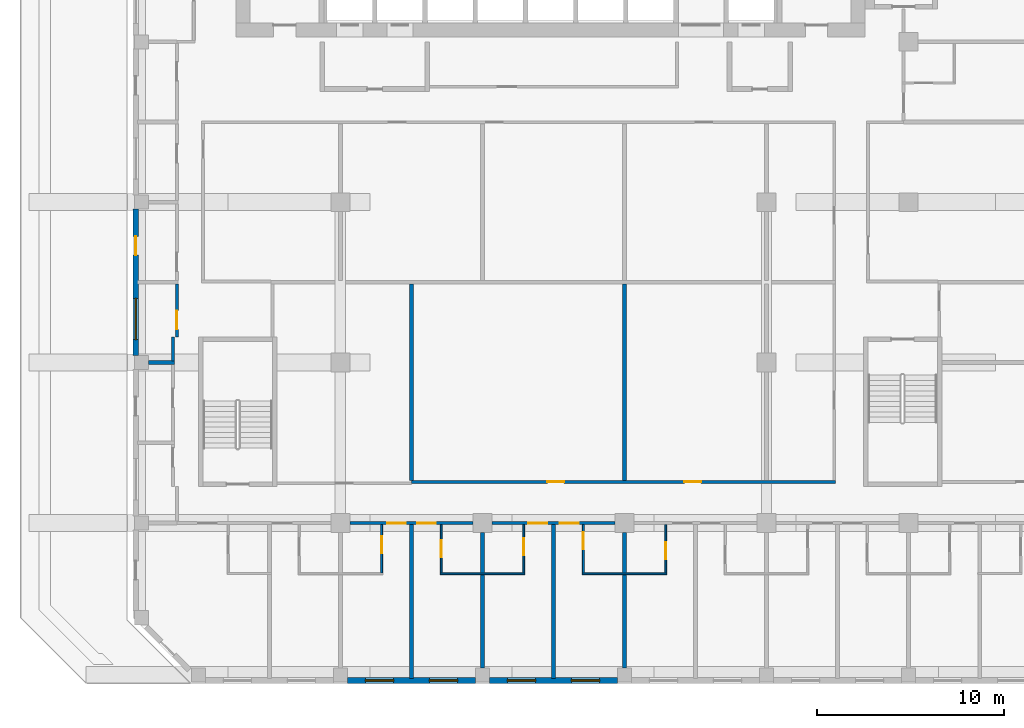
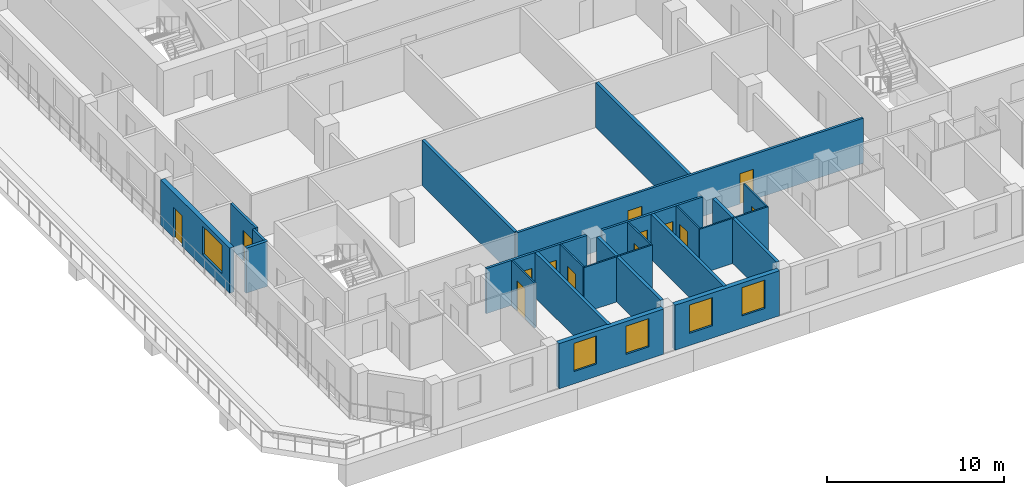
# One storey, part 3 of 16: 24 walls, 13 doors, 5 windows, 18 openings.
"""IFC4 building model written with IfcOpenShell, lengths in metres."""

from ifc_helpers import new_model, si_unit, direction, frame, frame_2d, origin, place, context, subcontext, project, spatial, rectangle, extrude, source, transform, mapped, material, layer, layer_set, type_object, element, fill, save


model = new_model("IFC4")

# Units and contexts
model_context = context("Model", 3, precision=1e-05, world=origin(), true_north=direction((0.0, 1.0)))
body_context = subcontext(model_context, "Body", "Model", "MODEL_VIEW")
ifc_project = project(units=[si_unit("LENGTHUNIT", "METRE"), si_unit("AREAUNIT", "SQUARE_METRE"), si_unit("VOLUMEUNIT", "CUBIC_METRE"), si_unit("PLANEANGLEUNIT", "RADIAN"), si_unit("MASSUNIT", "GRAM", prefix="KILO")], contexts=[model_context])

# Site, building, storey
site_placement = place(None, origin())
site = spatial("IfcSite", under=ifc_project, at=site_placement, CompositionType="ELEMENT")
building_placement = place(site_placement, origin())
building = spatial("IfcBuilding", under=site, at=building_placement, Name="Kilnfold Tower and Market Hall", CompositionType="ELEMENT")
storey_placement = place(building_placement, frame((0.0, 0.0, 199.89990234375)))
storey = spatial("IfcBuildingStorey", under=building, at=storey_placement, Name="L48", CompositionType="ELEMENT", Elevation=199.89990234375)

# Wall, openings, doors
ifc_material_1 = material(Name="Gypsum board on steel studs", Category="steel")
ifc_layer_1 = layer(ifc_material_1, 0.14990234375)
ifc_layer_set_1 = layer_set([ifc_layer_1], Name="Gypsum board on steel studs")
wall_type_1 = type_object("IfcWallType", Name="WALL CORRIDOR 150", PredefinedType="PARTITIONING", material=ifc_layer_set_1)
wall_1_placement = place(storey_placement, frame((-9.6669921875, -17.699951171875, 0.0), z_axis=(0.0, 0.0, 1.0), x_axis=(1.0, 0.0, 0.0)))
wall_1 = element("IfcWall", 1, at=wall_1_placement, inside=storey, type_object=wall_type_1, Name="Partition LY30.2", PredefinedType="PARTITIONING", context=body_context, shape_type="SweptSolid", body=[
    extrude(rectangle(XDim=6.583984375, YDim=0.14990234375, at=frame_2d((3.2919921875, 0.0))), origin(), (0.0, 0.0, 1.0), 3.1201171875),
])
opening_1_placement = place(wall_1_placement, frame((1.99609375, 0.0, 0.0)))
opening_1 = element("IfcOpeningElement", 2, at=opening_1_placement, cuts=wall_1, Name="Opening D1", PredefinedType="OPENING", context=body_context, shape_type="SweptSolid", body=[
    extrude(rectangle(XDim=1.0, YDim=2.10009765625, at=frame_2d((0.5, 1.050048828125))), frame((0.0, 0.0849609375, 0.0), z_axis=(0.0, -1.0, 0.0), x_axis=(1.0, 0.0, 0.0)), (0.0, 0.0, 1.0), 0.169921875),
])
opening_2_placement = place(wall_1_placement, frame((3.587890625, 0.0, 0.0)))
opening_2 = element("IfcOpeningElement", 3, at=opening_2_placement, cuts=wall_1, Name="Opening D1", PredefinedType="OPENING", context=body_context, shape_type="SweptSolid", body=[
    extrude(rectangle(XDim=1.0, YDim=2.10009765625, at=frame_2d((0.5, 1.050048828125))), frame((0.0, 0.0849609375, 0.0), z_axis=(0.0, -1.0, 0.0), x_axis=(1.0, 0.0, 0.0)), (0.0, 0.0, 1.0), 0.169921875),
])
ifc_material_2 = material(Name="Timber veneer door leaf in steel frame", Category="steel")
door_type_1 = type_object("IfcDoorType", Name="DOOR ENTRY 1000 X2100", OperationType="NOTDEFINED", PredefinedType="DOOR", material=ifc_material_2)
door_1_placement = place(opening_1_placement, origin())
door_1 = element("IfcDoor", 4, at=door_1_placement, inside=storey, type_object=door_type_1, Name="Door D1", OperationType="SINGLE_SWING_RIGHT", OverallHeight=2.10009765625, OverallWidth=1.0, PredefinedType="DOOR", context=body_context, shape_type="SweptSolid", body=[
    extrude(rectangle(XDim=1.0, YDim=2.10009765625, at=frame_2d((0.5, 1.050048828125))), frame((0.0, 0.02490234375, 0.0), z_axis=(0.0, -1.0, 0.0), x_axis=(1.0, 0.0, 0.0)), (0.0, 0.0, 1.0), 0.050048828125),
])
fill(opening_1, door_1)
door_2_placement = place(opening_2_placement, origin())
door_2 = element("IfcDoor", 5, at=door_2_placement, inside=storey, type_object=door_type_1, Name="Door D1", OperationType="SINGLE_SWING_RIGHT", OverallHeight=2.10009765625, OverallWidth=1.0, PredefinedType="DOOR", context=body_context, shape_type="SweptSolid", body=[
    extrude(rectangle(XDim=1.0, YDim=2.10009765625, at=frame_2d((0.5, 1.050048828125))), frame((0.0, 0.02490234375, 0.0), z_axis=(0.0, -1.0, 0.0), x_axis=(1.0, 0.0, 0.0)), (0.0, 0.0, 1.0), 0.050048828125),
])
fill(opening_2, door_2)

wall_2_placement = place(storey_placement, frame((-2.0830078125, -17.699951171875, 0.0), z_axis=(0.0, 0.0, 1.0), x_axis=(1.0, 0.0, 0.0)))
wall_2 = element("IfcWall", 6, at=wall_2_placement, inside=storey, type_object=wall_type_1, Name="Partition LY30.3", PredefinedType="PARTITIONING", context=body_context, shape_type="SweptSolid", body=[
    extrude(rectangle(XDim=6.5830078125, YDim=0.14990234375, at=frame_2d((3.29150390625, 0.0))), origin(), (0.0, 0.0, 1.0), 3.1201171875),
])
opening_3_placement = place(wall_2_placement, frame((1.949951171875, 0.0, 0.0)))
opening_3 = element("IfcOpeningElement", 7, at=opening_3_placement, cuts=wall_2, Name="Opening D1", PredefinedType="OPENING", context=body_context, shape_type="SweptSolid", body=[
    extrude(rectangle(XDim=1.0, YDim=2.10009765625, at=frame_2d((0.5, 1.050048828125))), frame((0.0, 0.0849609375, 0.0), z_axis=(0.0, -1.0, 0.0), x_axis=(1.0, 0.0, 0.0)), (0.0, 0.0, 1.0), 0.169921875),
])
opening_4_placement = place(wall_2_placement, frame((3.632080078125, 0.0, 0.0)))
opening_4 = element("IfcOpeningElement", 8, at=opening_4_placement, cuts=wall_2, Name="Opening D1", PredefinedType="OPENING", context=body_context, shape_type="SweptSolid", body=[
    extrude(rectangle(XDim=1.0, YDim=2.10009765625, at=frame_2d((0.5, 1.050048828125))), frame((0.0, 0.0849609375, 0.0), z_axis=(0.0, -1.0, 0.0), x_axis=(1.0, 0.0, 0.0)), (0.0, 0.0, 1.0), 0.169921875),
])
door_3_placement = place(opening_3_placement, origin())
door_3 = element("IfcDoor", 9, at=door_3_placement, inside=storey, type_object=door_type_1, Name="Door D1", OperationType="SINGLE_SWING_RIGHT", OverallHeight=2.10009765625, OverallWidth=1.0, PredefinedType="DOOR", context=body_context, shape_type="SweptSolid", body=[
    extrude(rectangle(XDim=1.0, YDim=2.10009765625, at=frame_2d((0.5, 1.050048828125))), frame((0.0, 0.02490234375, 0.0), z_axis=(0.0, -1.0, 0.0), x_axis=(1.0, 0.0, 0.0)), (0.0, 0.0, 1.0), 0.050048828125),
])
fill(opening_3, door_3)
door_4_placement = place(opening_4_placement, origin())
door_4 = element("IfcDoor", 10, at=door_4_placement, inside=storey, type_object=door_type_1, Name="Door D1", OperationType="SINGLE_SWING_LEFT", OverallHeight=2.10009765625, OverallWidth=1.0, PredefinedType="DOOR", context=body_context, shape_type="SweptSolid", body=[
    extrude(rectangle(XDim=1.0, YDim=2.10009765625, at=frame_2d((0.5, 1.050048828125))), frame((0.0, 0.02490234375, 0.0), z_axis=(0.0, -1.0, 0.0), x_axis=(1.0, 0.0, 0.0)), (0.0, 0.0, 1.0), 0.050048828125),
])
fill(opening_4, door_4)

# Wall, opening, door
wall_3_placement = place(storey_placement, frame((-18.89990234375, -7.757080078125, 0.0), z_axis=(0.0, 0.0, 1.0), x_axis=(0.0, 1.0, 0.0)))
wall_3 = element("IfcWall", 11, at=wall_3_placement, inside=storey, type_object=wall_type_1, Name="Partition LY30.12", PredefinedType="PARTITIONING", context=body_context, shape_type="SweptSolid", body=[
    extrude(rectangle(XDim=2.823974609375, YDim=0.14990234375, at=frame_2d((1.412109375, 0.0))), origin(), (0.0, 0.0, 1.0), 3.1201171875),
])
opening_5_placement = place(wall_3_placement, frame((0.403076171875, 0.0, 0.0)))
opening_5 = element("IfcOpeningElement", 12, at=opening_5_placement, cuts=wall_3, Name="Opening D4", PredefinedType="OPENING", context=body_context, shape_type="SweptSolid", body=[
    extrude(rectangle(XDim=1.0, YDim=2.10009765625, at=frame_2d((0.5, 1.050048828125))), frame((0.0, 0.0849609375, 0.0), z_axis=(0.0, -1.0, 0.0), x_axis=(1.0, 0.0, 0.0)), (0.0, 0.0, 1.0), 0.169921875),
])
ifc_material_3 = material(Name="Timber veneer door leaf in steel frame", Category="steel")
door_type_2 = type_object("IfcDoorType", Name="DOOR SERVICE 1000 X2100", OperationType="NOTDEFINED", PredefinedType="DOOR", material=ifc_material_3)
door_5_placement = place(opening_5_placement, origin())
door_5 = element("IfcDoor", 13, at=door_5_placement, inside=storey, type_object=door_type_2, Name="Door D4", OperationType="SINGLE_SWING_LEFT", OverallHeight=2.10009765625, OverallWidth=1.0, PredefinedType="DOOR", context=body_context, shape_type="SweptSolid", body=[
    extrude(rectangle(XDim=1.0, YDim=2.10009765625, at=frame_2d((0.5, 1.050048828125))), frame((0.0, 0.02490234375, 0.0), z_axis=(0.0, -1.0, 0.0), x_axis=(1.0, 0.0, 0.0)), (0.0, 0.0, 1.0), 0.050048828125),
])
fill(opening_5, door_5)

# Wall
wall_4_placement = place(storey_placement, frame((-19.113037109375, -9.034912109375, 0.0), z_axis=(0.0, 0.0, 1.0), x_axis=(0.0, 1.0, 0.0)))
element("IfcWall", 14, at=wall_4_placement, inside=storey, type_object=wall_type_1, Name="Partition LY30.13", PredefinedType="PARTITIONING", context=body_context, shape_type="SweptSolid", body=[
    extrude(rectangle(XDim=1.27783203125, YDim=0.14990234375, at=frame_2d((0.638916015625, 0.0))), origin(), (0.0, 0.0, 1.0), 3.1201171875),
])

# Wall, openings, doors
wall_5_placement = place(storey_placement, frame((-6.385009765625, -15.5, 0.0), z_axis=(0.0, 0.0, 1.0), x_axis=(1.0, 0.0, 0.0)))
wall_5 = element("IfcWall", 15, at=wall_5_placement, inside=storey, type_object=wall_type_1, Name="Partition LY30.40", PredefinedType="PARTITIONING", context=body_context, shape_type="SweptSolid", body=[
    extrude(rectangle(XDim=22.659912109375, YDim=0.14990234375, at=frame_2d((11.330078125, 0.0))), origin(), (0.0, 0.0, 1.0), 3.1201171875),
])
opening_6_placement = place(wall_5_placement, frame((7.26611328125, 0.0, 0.0)))
opening_6 = element("IfcOpeningElement", 16, at=opening_6_placement, cuts=wall_5, Name="Opening D2", PredefinedType="OPENING", context=body_context, shape_type="SweptSolid", body=[
    extrude(rectangle(XDim=0.89990234375, YDim=2.10009765625, at=frame_2d((0.449951171875, 1.050048828125))), frame((0.0, 0.0849609375, 0.0), z_axis=(0.0, -1.0, 0.0), x_axis=(1.0, 0.0, 0.0)), (0.0, 0.0, 1.0), 0.169921875),
])
opening_7_placement = place(wall_5_placement, frame((14.575927734375, 0.0, 0.0)))
opening_7 = element("IfcOpeningElement", 17, at=opening_7_placement, cuts=wall_5, Name="Opening D2", PredefinedType="OPENING", context=body_context, shape_type="SweptSolid", body=[
    extrude(rectangle(XDim=0.89990234375, YDim=2.10009765625, at=frame_2d((0.449951171875, 1.050048828125))), frame((0.0, 0.0849609375, 0.0), z_axis=(0.0, -1.0, 0.0), x_axis=(1.0, 0.0, 0.0)), (0.0, 0.0, 1.0), 0.169921875),
])
ifc_material_4 = material(Name="Timber veneer door leaf in steel frame", Category="steel")
door_type_3 = type_object("IfcDoorType", Name="DOOR ROOM 900 X2100", OperationType="NOTDEFINED", PredefinedType="DOOR", material=ifc_material_4)
door_6_placement = place(opening_6_placement, origin())
door_6 = element("IfcDoor", 18, at=door_6_placement, inside=storey, type_object=door_type_3, Name="Door D2", OperationType="SINGLE_SWING_LEFT", OverallHeight=2.10009765625, OverallWidth=0.89990234375, PredefinedType="DOOR", context=body_context, shape_type="SweptSolid", body=[
    extrude(rectangle(XDim=0.89990234375, YDim=2.10009765625, at=frame_2d((0.449951171875, 1.050048828125))), frame((0.0, 0.02490234375, 0.0), z_axis=(0.0, -1.0, 0.0), x_axis=(1.0, 0.0, 0.0)), (0.0, 0.0, 1.0), 0.050048828125),
])
fill(opening_6, door_6)
door_7_placement = place(opening_7_placement, origin())
door_7 = element("IfcDoor", 19, at=door_7_placement, inside=storey, type_object=door_type_3, Name="Door D2", OperationType="SINGLE_SWING_RIGHT", OverallHeight=2.10009765625, OverallWidth=0.89990234375, PredefinedType="DOOR", context=body_context, shape_type="SweptSolid", body=[
    extrude(rectangle(XDim=0.89990234375, YDim=2.10009765625, at=frame_2d((0.449951171875, 1.050048828125))), frame((0.0, 0.02490234375, 0.0), z_axis=(0.0, -1.0, 0.0), x_axis=(1.0, 0.0, 0.0)), (0.0, 0.0, 1.0), 0.050048828125),
])
fill(opening_7, door_7)

# Wall, opening, door
ifc_material_5 = material(Name="Gypsum board on steel studs", Category="steel")
ifc_layer_2 = layer(ifc_material_5, 0.10009765625)
ifc_layer_set_2 = layer_set([ifc_layer_2], Name="Gypsum board on steel studs")
wall_type_2 = type_object("IfcWallType", Name="WALL PARTITION 100", PredefinedType="PARTITIONING", material=ifc_layer_set_2)
wall_6_placement = place(storey_placement, frame((-7.967041015625, -17.777099609375, 0.0), z_axis=(0.0, 0.0, 1.0), x_axis=(0.0, -1.0, 0.0)))
wall_6 = element("IfcWall", 20, at=wall_6_placement, inside=storey, type_object=wall_type_2, Name="Partition LY30.51", PredefinedType="PARTITIONING", context=body_context, shape_type="SweptSolid", body=[
    extrude(rectangle(XDim=2.574951171875, YDim=0.10009765625, at=frame_2d((1.28759765625, 0.0))), origin(), (0.0, 0.0, 1.0), 3.1201171875),
])
opening_8_placement = place(wall_6_placement, frame((0.625, 0.0, 0.0)))
opening_8 = element("IfcOpeningElement", 21, at=opening_8_placement, cuts=wall_6, Name="Opening D3", PredefinedType="OPENING", context=body_context, shape_type="SweptSolid", body=[
    extrude(rectangle(XDim=0.89990234375, YDim=2.10009765625, at=frame_2d((0.449951171875, 1.050048828125))), frame((0.0, 0.06005859375, 0.0), z_axis=(0.0, -1.0, 0.0), x_axis=(1.0, 0.0, 0.0)), (0.0, 0.0, 1.0), 0.1201171875),
])
ifc_material_6 = material(Name="Timber veneer door leaf in steel frame", Category="steel")
door_type_4 = type_object("IfcDoorType", Name="DOOR WC 900 X2100", OperationType="NOTDEFINED", PredefinedType="DOOR", material=ifc_material_6)
door_8_placement = place(opening_8_placement, origin())
door_8 = element("IfcDoor", 22, at=door_8_placement, inside=storey, type_object=door_type_4, Name="Door D3", OperationType="SINGLE_SWING_LEFT", OverallHeight=2.10009765625, OverallWidth=0.89990234375, PredefinedType="DOOR", context=body_context, shape_type="SweptSolid", body=[
    extrude(rectangle(XDim=0.89990234375, YDim=2.10009765625, at=frame_2d((0.449951171875, 1.050048828125))), frame((0.0, 0.02490234375, 0.0), z_axis=(0.0, -1.0, 0.0), x_axis=(1.0, 0.0, 0.0)), (0.0, 0.0, 1.0), 0.050048828125),
])
fill(opening_8, door_8)

wall_7_placement = place(storey_placement, frame((-4.782958984375, -20.35205078125, 0.0), z_axis=(0.0, 0.0, 1.0), x_axis=(0.0, 1.0, 0.0)))
wall_7 = element("IfcWall", 23, at=wall_7_placement, inside=storey, type_object=wall_type_2, Name="Partition LY30.53", PredefinedType="PARTITIONING", context=body_context, shape_type="SweptSolid", body=[
    extrude(rectangle(XDim=2.574951171875, YDim=0.10009765625, at=frame_2d((1.28759765625, 0.0))), origin(), (0.0, 0.0, 1.0), 3.1201171875),
])
opening_9_placement = place(wall_7_placement, frame((0.8369140625, 0.0, 0.0)))
opening_9 = element("IfcOpeningElement", 24, at=opening_9_placement, cuts=wall_7, Name="Opening D3", PredefinedType="OPENING", context=body_context, shape_type="SweptSolid", body=[
    extrude(rectangle(XDim=0.89990234375, YDim=2.10009765625, at=frame_2d((0.449951171875, 1.050048828125))), frame((0.0, 0.06005859375, 0.0), z_axis=(0.0, -1.0, 0.0), x_axis=(1.0, 0.0, 0.0)), (0.0, 0.0, 1.0), 0.1201171875),
])
door_9_placement = place(opening_9_placement, origin())
door_9 = element("IfcDoor", 25, at=door_9_placement, inside=storey, type_object=door_type_4, Name="Door D3", OperationType="SINGLE_SWING_LEFT", OverallHeight=2.10009765625, OverallWidth=0.89990234375, PredefinedType="DOOR", context=body_context, shape_type="SweptSolid", body=[
    extrude(rectangle(XDim=0.89990234375, YDim=2.10009765625, at=frame_2d((0.449951171875, 1.050048828125))), frame((0.0, 0.02490234375, 0.0), z_axis=(0.0, -1.0, 0.0), x_axis=(1.0, 0.0, 0.0)), (0.0, 0.0, 1.0), 0.050048828125),
])
fill(opening_9, door_9)

# Wall
wall_8_placement = place(storey_placement, frame((-4.8330078125, -20.402099609375, 0.0), z_axis=(0.0, 0.0, 1.0), x_axis=(1.0, 0.0, 0.0)))
element("IfcWall", 26, at=wall_8_placement, inside=storey, type_object=wall_type_2, Name="Partition LY30.54", PredefinedType="PARTITIONING", context=body_context, shape_type="SweptSolid", body=[
    extrude(rectangle(XDim=4.5, YDim=0.10009765625, at=frame_2d((2.25, 0.0))), origin(), (0.0, 0.0, 1.0), 3.1201171875),
])

# Wall, opening, door
wall_9_placement = place(storey_placement, frame((-0.383056640625, -17.777099609375, 0.0), z_axis=(0.0, 0.0, 1.0), x_axis=(0.0, -1.0, 0.0)))
wall_9 = element("IfcWall", 27, at=wall_9_placement, inside=storey, type_object=wall_type_2, Name="Partition LY30.57", PredefinedType="PARTITIONING", context=body_context, shape_type="SweptSolid", body=[
    extrude(rectangle(XDim=2.574951171875, YDim=0.10009765625, at=frame_2d((1.28759765625, 0.0))), origin(), (0.0, 0.0, 1.0), 3.1201171875),
])
opening_10_placement = place(wall_9_placement, frame((0.73095703125, 0.0, 0.0)))
opening_10 = element("IfcOpeningElement", 28, at=opening_10_placement, cuts=wall_9, Name="Opening D3", PredefinedType="OPENING", context=body_context, shape_type="SweptSolid", body=[
    extrude(rectangle(XDim=0.89990234375, YDim=2.10009765625, at=frame_2d((0.449951171875, 1.050048828125))), frame((0.0, 0.06005859375, 0.0), z_axis=(0.0, -1.0, 0.0), x_axis=(1.0, 0.0, 0.0)), (0.0, 0.0, 1.0), 0.1201171875),
])
door_10_placement = place(opening_10_placement, origin())
door_10 = element("IfcDoor", 29, at=door_10_placement, inside=storey, type_object=door_type_4, Name="Door D3", OperationType="SINGLE_SWING_RIGHT", OverallHeight=2.10009765625, OverallWidth=0.89990234375, PredefinedType="DOOR", context=body_context, shape_type="SweptSolid", body=[
    extrude(rectangle(XDim=0.89990234375, YDim=2.10009765625, at=frame_2d((0.449951171875, 1.050048828125))), frame((0.0, 0.02490234375, 0.0), z_axis=(0.0, -1.0, 0.0), x_axis=(1.0, 0.0, 0.0)), (0.0, 0.0, 1.0), 0.050048828125),
])
fill(opening_10, door_10)

wall_10_placement = place(storey_placement, frame((2.800048828125, -20.35205078125, 0.0), z_axis=(0.0, 0.0, 1.0), x_axis=(0.0, 1.0, 0.0)))
wall_10 = element("IfcWall", 30, at=wall_10_placement, inside=storey, type_object=wall_type_2, Name="Partition LY30.59", PredefinedType="PARTITIONING", context=body_context, shape_type="SweptSolid", body=[
    extrude(rectangle(XDim=2.574951171875, YDim=0.10009765625, at=frame_2d((1.28759765625, 0.0))), origin(), (0.0, 0.0, 1.0), 3.1201171875),
])
opening_11_placement = place(wall_10_placement, frame((1.261962890625, 0.0, 0.0)))
opening_11 = element("IfcOpeningElement", 31, at=opening_11_placement, cuts=wall_10, Name="Opening D3", PredefinedType="OPENING", context=body_context, shape_type="SweptSolid", body=[
    extrude(rectangle(XDim=0.89990234375, YDim=2.10009765625, at=frame_2d((0.449951171875, 1.050048828125))), frame((0.0, 0.06005859375, 0.0), z_axis=(0.0, -1.0, 0.0), x_axis=(1.0, 0.0, 0.0)), (0.0, 0.0, 1.0), 0.1201171875),
])
door_11_placement = place(opening_11_placement, origin())
door_11 = element("IfcDoor", 32, at=door_11_placement, inside=storey, type_object=door_type_4, Name="Door D3", OperationType="SINGLE_SWING_LEFT", OverallHeight=2.10009765625, OverallWidth=0.89990234375, PredefinedType="DOOR", context=body_context, shape_type="SweptSolid", body=[
    extrude(rectangle(XDim=0.89990234375, YDim=2.10009765625, at=frame_2d((0.449951171875, 1.050048828125))), frame((0.0, 0.02490234375, 0.0), z_axis=(0.0, -1.0, 0.0), x_axis=(1.0, 0.0, 0.0)), (0.0, 0.0, 1.0), 0.050048828125),
])
fill(opening_11, door_11)

# Wall
wall_11_placement = place(storey_placement, frame((2.75, -20.402099609375, 0.0), z_axis=(0.0, 0.0, 1.0), x_axis=(1.0, 0.0, 0.0)))
element("IfcWall", 33, at=wall_11_placement, inside=storey, type_object=wall_type_2, Name="Partition LY30.60", PredefinedType="PARTITIONING", context=body_context, shape_type="SweptSolid", body=[
    extrude(rectangle(XDim=4.5, YDim=0.10009765625, at=frame_2d((2.25, 0.0))), origin(), (0.0, 0.0, 1.0), 3.1201171875),
])

# Wall, opening, door
wall_12_placement = place(storey_placement, frame((7.199951171875, -17.777099609375, 0.0), z_axis=(0.0, 0.0, 1.0), x_axis=(0.0, -1.0, 0.0)))
wall_12 = element("IfcWall", 34, at=wall_12_placement, inside=storey, type_object=wall_type_2, Name="Partition LY30.63", PredefinedType="PARTITIONING", context=body_context, shape_type="SweptSolid", body=[
    extrude(rectangle(XDim=2.574951171875, YDim=0.10009765625, at=frame_2d((1.28759765625, 0.0))), origin(), (0.0, 0.0, 1.0), 3.1201171875),
])
opening_12_placement = place(wall_12_placement, frame((0.944091796875, 0.0, 0.0)))
opening_12 = element("IfcOpeningElement", 35, at=opening_12_placement, cuts=wall_12, Name="Opening D3", PredefinedType="OPENING", context=body_context, shape_type="SweptSolid", body=[
    extrude(rectangle(XDim=0.89990234375, YDim=2.10009765625, at=frame_2d((0.449951171875, 1.050048828125))), frame((0.0, 0.06005859375, 0.0), z_axis=(0.0, -1.0, 0.0), x_axis=(1.0, 0.0, 0.0)), (0.0, 0.0, 1.0), 0.1201171875),
])
door_12_placement = place(opening_12_placement, origin())
door_12 = element("IfcDoor", 36, at=door_12_placement, inside=storey, type_object=door_type_4, Name="Door D3", OperationType="SINGLE_SWING_RIGHT", OverallHeight=2.10009765625, OverallWidth=0.89990234375, PredefinedType="DOOR", context=body_context, shape_type="SweptSolid", body=[
    extrude(rectangle(XDim=0.89990234375, YDim=2.10009765625, at=frame_2d((0.449951171875, 1.050048828125))), frame((0.0, 0.02490234375, 0.0), z_axis=(0.0, -1.0, 0.0), x_axis=(1.0, 0.0, 0.0)), (0.0, 0.0, 1.0), 0.050048828125),
])
fill(opening_12, door_12)

# Walls
ifc_material_7 = material(Name="Gypsum board on steel studs", Category="steel")
ifc_layer_3 = layer(ifc_material_7, 0.199951171875)
ifc_layer_set_3 = layer_set([ifc_layer_3], Name="Gypsum board on steel studs")
wall_type_3 = type_object("IfcWallType", Name="WALL PARTY 200", PredefinedType="PARTITIONING", material=ifc_layer_set_3)
wall_13_placement = place(storey_placement, frame((-6.375, -26.0, 0.0), z_axis=(0.0, 0.0, 1.0), x_axis=(0.0, 1.0, 0.0)))
element("IfcWall", 37, at=wall_13_placement, inside=storey, type_object=wall_type_3, Name="Partition LY30.52", PredefinedType="PARTITIONING", context=body_context, shape_type="SweptSolid", body=[
    extrude(rectangle(XDim=8.222900390625, YDim=0.199951171875, at=frame_2d((4.111328125, 0.0))), origin(), (0.0, 0.0, 1.0), 3.1201171875),
])
wall_14_placement = place(storey_placement, frame((-2.5830078125, -25.425048828125, 0.0), z_axis=(0.0, 0.0, 1.0), x_axis=(0.0, 1.0, 0.0)))
element("IfcWall", 38, at=wall_14_placement, inside=storey, type_object=wall_type_3, Name="Partition LY30.55", PredefinedType="PARTITIONING", context=body_context, shape_type="SweptSolid", body=[
    extrude(rectangle(XDim=4.97314453125, YDim=0.199951171875, at=frame_2d((2.486572265625, 0.0))), origin(), (0.0, 0.0, 1.0), 3.1201171875),
])
wall_15_placement = place(storey_placement, frame((-2.5830078125, -20.35205078125, 0.0), z_axis=(0.0, 0.0, 1.0), x_axis=(0.0, 1.0, 0.0)))
element("IfcWall", 39, at=wall_15_placement, inside=storey, type_object=wall_type_3, Name="Partition LY30.56", PredefinedType="PARTITIONING", context=body_context, shape_type="SweptSolid", body=[
    extrude(rectangle(XDim=2.1640625, YDim=0.199951171875, at=frame_2d((1.08203125, 0.0))), origin(), (0.0, 0.0, 1.0), 3.1201171875),
])
wall_16_placement = place(storey_placement, frame((1.2080078125, -26.0, 0.0), z_axis=(0.0, 0.0, 1.0), x_axis=(0.0, 1.0, 0.0)))
element("IfcWall", 40, at=wall_16_placement, inside=storey, type_object=wall_type_3, Name="Partition LY30.58", PredefinedType="PARTITIONING", context=body_context, shape_type="SweptSolid", body=[
    extrude(rectangle(XDim=8.222900390625, YDim=0.199951171875, at=frame_2d((4.111328125, 0.0))), origin(), (0.0, 0.0, 1.0), 3.1201171875),
])
wall_17_placement = place(storey_placement, frame((5.0, -25.425048828125, 0.0), z_axis=(0.0, 0.0, 1.0), x_axis=(0.0, 1.0, 0.0)))
element("IfcWall", 41, at=wall_17_placement, inside=storey, type_object=wall_type_3, Name="Partition LY30.61", PredefinedType="PARTITIONING", context=body_context, shape_type="SweptSolid", body=[
    extrude(rectangle(XDim=4.97314453125, YDim=0.199951171875, at=frame_2d((2.486572265625, 0.0))), origin(), (0.0, 0.0, 1.0), 3.1201171875),
])
wall_18_placement = place(storey_placement, frame((5.0, -20.35205078125, 0.0), z_axis=(0.0, 0.0, 1.0), x_axis=(0.0, 1.0, 0.0)))
element("IfcWall", 42, at=wall_18_placement, inside=storey, type_object=wall_type_3, Name="Partition LY30.62", PredefinedType="PARTITIONING", context=body_context, shape_type="SweptSolid", body=[
    extrude(rectangle(XDim=2.1640625, YDim=0.199951171875, at=frame_2d((1.08203125, 0.0))), origin(), (0.0, 0.0, 1.0), 3.1201171875),
])
wall_19_placement = place(storey_placement, frame((-20.425048828125, -9.125, 0.0), z_axis=(0.0, 0.0, 1.0), x_axis=(1.0, 0.0, 0.0)))
element("IfcWall", 43, at=wall_19_placement, inside=storey, type_object=wall_type_3, Name="Partition LY30.84", PredefinedType="PARTITIONING", context=body_context, shape_type="SweptSolid", body=[
    extrude(rectangle(XDim=1.39794921875, YDim=0.199951171875, at=frame_2d((0.698974609375, 0.0))), origin(), (0.0, 0.0, 1.0), 3.1201171875),
])
for number, where, z_axis, x_axis, name in (
    (44, (-6.375, -15.423095703125, 0.0), (0.0, 0.0, 1.0), (0.0, 1.0, 0.0), "Partition LY30.117"),
    (45, (5.0, -15.423095703125, 0.0), (0.0, 0.0, 1.0), (0.0, 1.0, 0.0), "Partition LY30.118"),
):
    element("IfcWall", number, at=place(storey_placement, frame(where, z_axis=z_axis, x_axis=x_axis)), inside=storey, type_object=wall_type_3, Name=name, PredefinedType="PARTITIONING", context=body_context, shape_type="SweptSolid", body=[
        extrude(rectangle(XDim=10.47998046875, YDim=0.199951171875, at=frame_2d((5.239990234375, 0.0))), origin(), (0.0, 0.0, 1.0), 3.1201171875),
    ])

# Wall, openings, windows
ifc_material_8 = material(Name="Precast concrete C50/60", Category="concrete")
ifc_layer_4 = layer(ifc_material_8, 0.300048828125)
ifc_layer_set_4 = layer_set([ifc_layer_4], Name="Precast concrete C50/60")
wall_type_4 = type_object("IfcWallType", Name="PRECAST WALL 300", PredefinedType="SOLIDWALL", material=ifc_layer_set_4)
shared_shape_1 = source(origin(), body_context, "Body", "SweptSolid", [
    extrude(rectangle(XDim=6.833251953125, YDim=0.300048828125, at=frame_2d((3.41650390625, 0.0))), origin(), (0.0, 0.0, 1.0), 3.1201171875),
])
wall_20_placement = place(storey_placement, frame((-2.208251953125, -26.10009765625, 0.0), z_axis=(0.0, 0.0, 1.0), x_axis=(1.0, 0.0, 0.0)))
wall_20 = element("IfcWall", 46, at=wall_20_placement, inside=storey, type_object=wall_type_4, Name="External wall L48 S", PredefinedType="SOLIDWALL", context=body_context, shape_type="MappedRepresentation", body=[
    mapped(shared_shape_1, transform((0.0, 0.0, 0.0))),
])
opening_13_placement = place(wall_20_placement, frame((0.958251953125, 0.0, 0.85009765625)))
opening_13 = element("IfcOpeningElement", 47, at=opening_13_placement, cuts=wall_20, Name="Opening W4", PredefinedType="OPENING", context=body_context, shape_type="SweptSolid", body=[
    extrude(rectangle(XDim=1.5, YDim=1.949951171875, at=frame_2d((0.75, 0.97509765625))), frame((0.0, 0.16015625, 0.0), z_axis=(0.0, -1.0, 0.0), x_axis=(1.0, 0.0, 0.0)), (0.0, 0.0, 1.0), 0.320068359375),
])
opening_14_placement = place(wall_20_placement, frame((4.375, 0.0, 0.85009765625)))
opening_14 = element("IfcOpeningElement", 48, at=opening_14_placement, cuts=wall_20, Name="Opening W4", PredefinedType="OPENING", context=body_context, shape_type="SweptSolid", body=[
    extrude(rectangle(XDim=1.5, YDim=1.949951171875, at=frame_2d((0.75, 0.97509765625))), frame((0.0, 0.16015625, 0.0), z_axis=(0.0, -1.0, 0.0), x_axis=(1.0, 0.0, 0.0)), (0.0, 0.0, 1.0), 0.320068359375),
])
ifc_material_9 = material(Name="Aluminium frame and double glazing", Category="aluminium")
window_type_1 = type_object("IfcWindowType", Name="WINDOW W4 1500X1950", PartitioningType="SINGLE_PANEL", PredefinedType="WINDOW", material=ifc_material_9)
window_1_placement = place(opening_13_placement, origin())
window_1 = element("IfcWindow", 49, at=window_1_placement, inside=storey, type_object=window_type_1, Name="Window W4 L48 S-1", OverallHeight=1.949951171875, OverallWidth=1.5, PartitioningType="SINGLE_PANEL", PredefinedType="WINDOW", context=body_context, shape_type="SweptSolid", body=[
    extrude(rectangle(XDim=1.5, YDim=1.949951171875, at=frame_2d((0.75, 0.97509765625))), frame((0.0, 0.030029296875, 0.0), z_axis=(0.0, -1.0, 0.0), x_axis=(1.0, 0.0, 0.0)), (0.0, 0.0, 1.0), 0.06005859375),
])
fill(opening_13, window_1)
window_2_placement = place(opening_14_placement, origin())
window_2 = element("IfcWindow", 50, at=window_2_placement, inside=storey, type_object=window_type_1, Name="Window W4 L48 S-2", OverallHeight=1.949951171875, OverallWidth=1.5, PartitioningType="SINGLE_PANEL", PredefinedType="WINDOW", context=body_context, shape_type="SweptSolid", body=[
    extrude(rectangle(XDim=1.5, YDim=1.949951171875, at=frame_2d((0.75, 0.97509765625))), frame((0.0, 0.030029296875, 0.0), z_axis=(0.0, -1.0, 0.0), x_axis=(1.0, 0.0, 0.0)), (0.0, 0.0, 1.0), 0.06005859375),
])
fill(opening_14, window_2)

shared_shape_2 = source(origin(), body_context, "Body", "SweptSolid", [
    extrude(rectangle(XDim=6.83349609375, YDim=0.300048828125, at=frame_2d((3.416748046875, 0.0))), origin(), (0.0, 0.0, 1.0), 3.1201171875),
])
wall_21_placement = place(storey_placement, frame((-9.791748046875, -26.10009765625, 0.0), z_axis=(0.0, 0.0, 1.0), x_axis=(1.0, 0.0, 0.0)))
wall_21 = element("IfcWall", 51, at=wall_21_placement, inside=storey, type_object=wall_type_4, Name="External wall L48 S", PredefinedType="SOLIDWALL", context=body_context, shape_type="MappedRepresentation", body=[
    mapped(shared_shape_2, transform((0.0, 0.0, 0.0))),
])
opening_15_placement = place(wall_21_placement, frame((0.958251953125, 0.0, 0.85009765625)))
opening_15 = element("IfcOpeningElement", 52, at=opening_15_placement, cuts=wall_21, Name="Opening W4", PredefinedType="OPENING", context=body_context, shape_type="SweptSolid", body=[
    extrude(rectangle(XDim=1.5, YDim=1.949951171875, at=frame_2d((0.75, 0.97509765625))), frame((0.0, 0.16015625, 0.0), z_axis=(0.0, -1.0, 0.0), x_axis=(1.0, 0.0, 0.0)), (0.0, 0.0, 1.0), 0.320068359375),
])
opening_16_placement = place(wall_21_placement, frame((4.375, 0.0, 0.85009765625)))
opening_16 = element("IfcOpeningElement", 53, at=opening_16_placement, cuts=wall_21, Name="Opening W4", PredefinedType="OPENING", context=body_context, shape_type="SweptSolid", body=[
    extrude(rectangle(XDim=1.5, YDim=1.949951171875, at=frame_2d((0.75, 0.97509765625))), frame((0.0, 0.16015625, 0.0), z_axis=(0.0, -1.0, 0.0), x_axis=(1.0, 0.0, 0.0)), (0.0, 0.0, 1.0), 0.320068359375),
])
window_3_placement = place(opening_15_placement, origin())
window_3 = element("IfcWindow", 54, at=window_3_placement, inside=storey, type_object=window_type_1, Name="Window W4 L48 S-1", OverallHeight=1.949951171875, OverallWidth=1.5, PartitioningType="SINGLE_PANEL", PredefinedType="WINDOW", context=body_context, shape_type="SweptSolid", body=[
    extrude(rectangle(XDim=1.5, YDim=1.949951171875, at=frame_2d((0.75, 0.97509765625))), frame((0.0, 0.030029296875, 0.0), z_axis=(0.0, -1.0, 0.0), x_axis=(1.0, 0.0, 0.0)), (0.0, 0.0, 1.0), 0.06005859375),
])
fill(opening_15, window_3)
window_4_placement = place(opening_16_placement, origin())
window_4 = element("IfcWindow", 55, at=window_4_placement, inside=storey, type_object=window_type_1, Name="Window W4 L48 S-2", OverallHeight=1.949951171875, OverallWidth=1.5, PartitioningType="SINGLE_PANEL", PredefinedType="WINDOW", context=body_context, shape_type="SweptSolid", body=[
    extrude(rectangle(XDim=1.5, YDim=1.949951171875, at=frame_2d((0.75, 0.97509765625))), frame((0.0, 0.030029296875, 0.0), z_axis=(0.0, -1.0, 0.0), x_axis=(1.0, 0.0, 0.0)), (0.0, 0.0, 1.0), 0.06005859375),
])
fill(opening_16, window_4)

# Wall, openings, door, window
shared_shape_3 = source(origin(), body_context, "Body", "SweptSolid", [
    extrude(rectangle(XDim=7.8125, YDim=0.300048828125, at=frame_2d((3.90625, 0.0))), origin(), (0.0, 0.0, 1.0), 3.1201171875),
])
wall_22_placement = place(storey_placement, frame((-21.10009765625, -0.9375, 0.0), z_axis=(0.0, 0.0, 1.0), x_axis=(0.0, -1.0, 0.0)))
wall_22 = element("IfcWall", 56, at=wall_22_placement, inside=storey, type_object=wall_type_4, Name="External wall L48 W", PredefinedType="SOLIDWALL", context=body_context, shape_type="MappedRepresentation", body=[
    mapped(shared_shape_3, transform((0.0, 0.0, 0.0))),
])
opening_17_placement = place(wall_22_placement, frame((1.453125, 0.0, 0.0)))
opening_17 = element("IfcOpeningElement", 57, at=opening_17_placement, cuts=wall_22, Name="Opening BD1", PredefinedType="OPENING", context=body_context, shape_type="SweptSolid", body=[
    extrude(rectangle(XDim=1.0, YDim=2.10009765625, at=frame_2d((0.5, 1.050048828125))), frame((0.0, 0.16015625, 0.0), z_axis=(0.0, -1.0, 0.0), x_axis=(1.0, 0.0, 0.0)), (0.0, 0.0, 1.0), 0.320068359375),
])
opening_18_placement = place(wall_22_placement, frame((4.759521484375, 0.0, 0.85009765625)))
opening_18 = element("IfcOpeningElement", 58, at=opening_18_placement, cuts=wall_22, Name="Opening W2", PredefinedType="OPENING", context=body_context, shape_type="SweptSolid", body=[
    extrude(rectangle(XDim=2.199951171875, YDim=1.949951171875, at=frame_2d((1.10009765625, 0.97509765625))), frame((0.0, 0.16015625, 0.0), z_axis=(0.0, -1.0, 0.0), x_axis=(1.0, 0.0, 0.0)), (0.0, 0.0, 1.0), 0.320068359375),
])
ifc_material_10 = material(Name="Aluminium frame and double glazing", Category="aluminium")
door_type_5 = type_object("IfcDoorType", Name="BALCONY DOOR 1000X2100", OperationType="NOTDEFINED", PredefinedType="DOOR", material=ifc_material_10)
door_13_placement = place(opening_17_placement, origin())
door_13 = element("IfcDoor", 59, at=door_13_placement, inside=storey, type_object=door_type_5, Name="Balcony door BD1 L48 W-1", OperationType="SINGLE_SWING_LEFT", OverallHeight=2.10009765625, OverallWidth=1.0, PredefinedType="DOOR", context=body_context, shape_type="SweptSolid", body=[
    extrude(rectangle(XDim=1.0, YDim=2.10009765625, at=frame_2d((0.5, 1.050048828125))), frame((0.0, 0.02490234375, 0.0), z_axis=(0.0, -1.0, 0.0), x_axis=(1.0, 0.0, 0.0)), (0.0, 0.0, 1.0), 0.050048828125),
])
fill(opening_17, door_13)
ifc_material_11 = material(Name="Aluminium frame and double glazing", Category="aluminium")
window_type_2 = type_object("IfcWindowType", Name="WINDOW W2 2200X1950", PartitioningType="SINGLE_PANEL", PredefinedType="WINDOW", material=ifc_material_11)
window_5_placement = place(opening_18_placement, origin())
window_5 = element("IfcWindow", 60, at=window_5_placement, inside=storey, type_object=window_type_2, Name="Window W2 L48 W-2", OverallHeight=1.949951171875, OverallWidth=2.199951171875, PartitioningType="SINGLE_PANEL", PredefinedType="WINDOW", context=body_context, shape_type="SweptSolid", body=[
    extrude(rectangle(XDim=2.199951171875, YDim=1.949951171875, at=frame_2d((1.10009765625, 0.97509765625))), frame((0.0, 0.030029296875, 0.0), z_axis=(0.0, -1.0, 0.0), x_axis=(1.0, 0.0, 0.0)), (0.0, 0.0, 1.0), 0.06005859375),
])
fill(opening_18, window_5)

save(model, "model.ifc")
